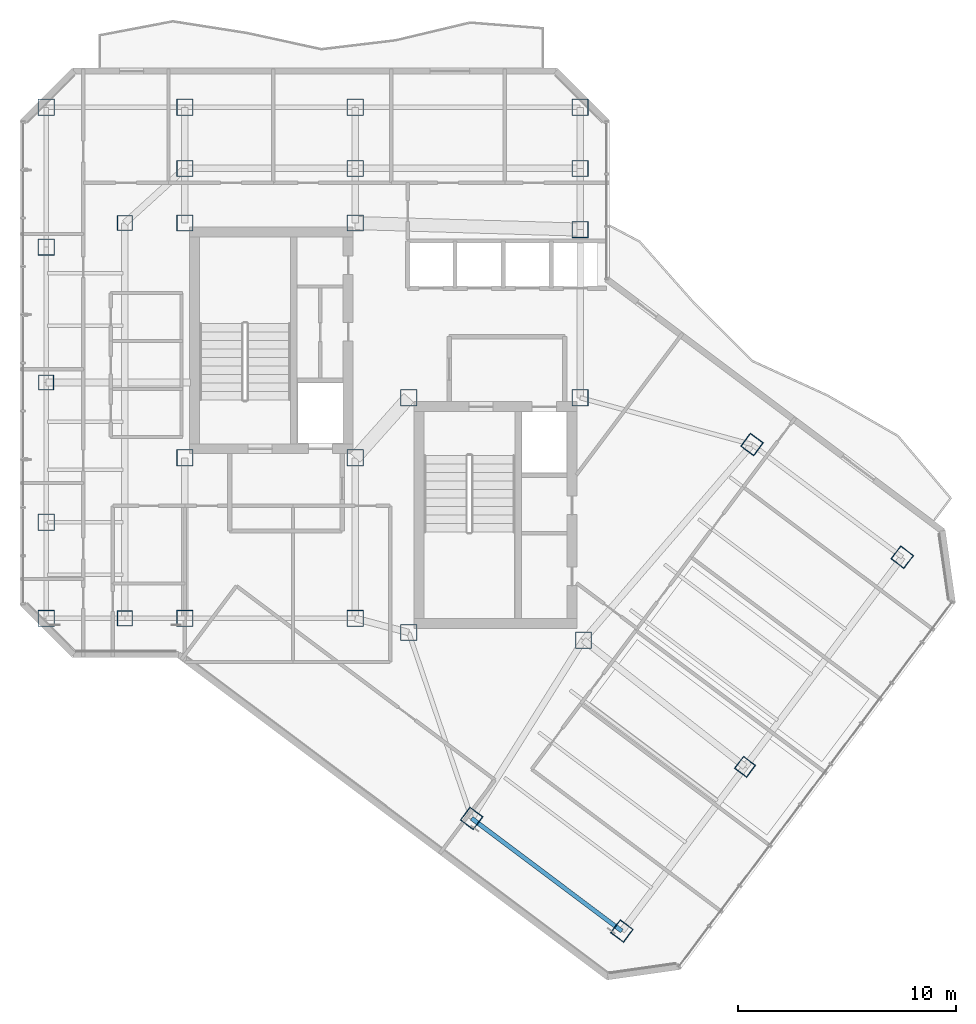
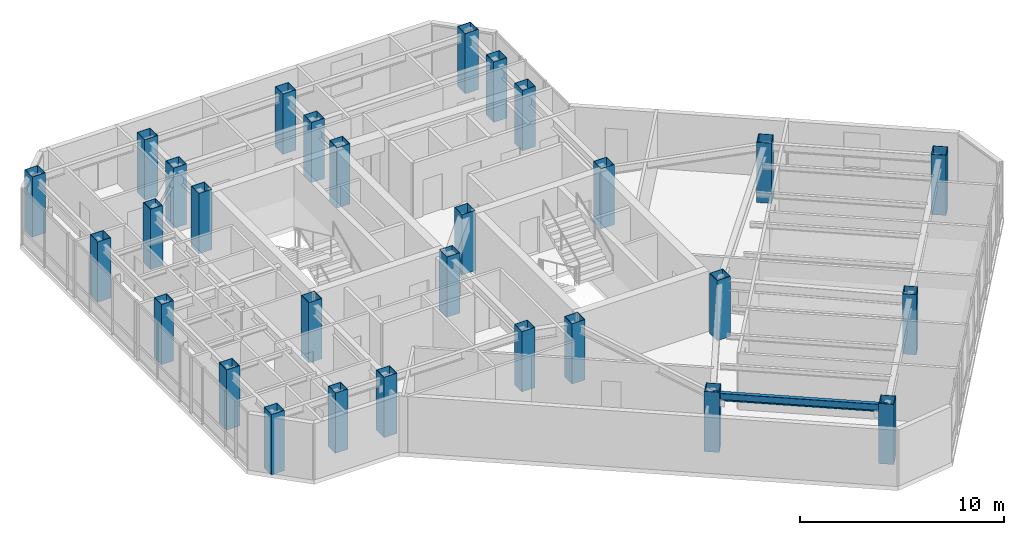
# One storey, part 1 of 26: 29 columns, 1 beam.
"""IFC4 building model written with IfcOpenShell, lengths in metres."""

from ifc_helpers import new_model, si_unit, direction, frame, origin, origin_2d, place, context, subcontext, project, spatial, hollow_rectangle, i_section, extrude, material, material_profile, profile_set, type_object, element, save


model = new_model("IFC4")

# Units and contexts
model_context = context("Model", 3, precision=1e-05, world=origin(), true_north=direction((0.0, 1.0)))
body_context = subcontext(model_context, "Body", "Model", "MODEL_VIEW")
ifc_project = project(units=[si_unit("LENGTHUNIT", "METRE"), si_unit("AREAUNIT", "SQUARE_METRE"), si_unit("VOLUMEUNIT", "CUBIC_METRE"), si_unit("PLANEANGLEUNIT", "RADIAN"), si_unit("MASSUNIT", "GRAM", prefix="KILO")], contexts=[model_context])

# Site, building, storey
site_placement = place(None, origin())
site = spatial("IfcSite", under=ifc_project, at=site_placement, CompositionType="ELEMENT")
building_placement = place(site_placement, origin())
building = spatial("IfcBuilding", under=site, at=building_placement, Name="Hatsunagi Terrace Concourse", CompositionType="ELEMENT")
storey_placement = place(building_placement, frame((0.0, 0.0, 209.550048828125)))
storey = spatial("IfcBuildingStorey", under=building, at=storey_placement, Name="L55", CompositionType="ELEMENT", Elevation=209.550048828125)

# Columns
ifc_material_1 = material(Name="Steel BCP325T", Category="steel")
ifc_material_profile_1 = material_profile(ifc_material_1, hollow_rectangle(XDim=0.699951171875, YDim=0.699951171875, WallThickness=0.028076171875, at=origin_2d()), Name="BCP-700x700x28")
ifc_profile_set_1 = profile_set([ifc_material_profile_1], Name="Steel BCP325T")
column_type_1 = type_object("IfcColumnType", Name="TowerBoxColumn_700x700x28", PredefinedType="COLUMN", material=ifc_profile_set_1)
for number, where, z_axis, x_axis, name in (
    (1, (22.800048828125, 25.199951171875, 0.0), (0.0, 0.0, 1.0), (1.0, 0.0, 0.0), "Column C-08 L55-CW1"),
    (2, (22.800048828125, 43.300048828125, 0.0), (0.0, 0.0, 1.0), (1.0, 0.0, 0.0), "Column C-08 L55-CW2"),
    (3, (19.199951171875, 36.0, 0.0), (0.0, 0.0, 1.0), (1.0, 0.0, 0.0), "Column C-08 L55-WT2"),
    (4, (51.199951171875, 18.39990234375, 0.0), (0.0, 0.0, 1.0), (0.799999996291, -0.600000004945, 0.0), "Column C-08 L55-SEM2"),
):
    element("IfcColumn", number, at=place(storey_placement, frame(where, z_axis=z_axis, x_axis=x_axis)), inside=storey, type_object=column_type_1, Name=name, PredefinedType="COLUMN", context=body_context, shape_type="SweptSolid", body=[
        extrude(hollow_rectangle(XDim=0.699951171875, YDim=0.699951171875, WallThickness=0.028076171875, at=origin_2d()), origin(), (0.0, 0.0, 1.0), 3.599853515625),
    ])
ifc_material_2 = material(Name="Steel BCP325T", Category="steel")
ifc_material_profile_2 = material_profile(ifc_material_2, hollow_rectangle(XDim=0.75, YDim=0.75, WallThickness=0.028076171875, at=origin_2d()), Name="BCP-750x750x28")
ifc_profile_set_2 = profile_set([ifc_material_profile_2], Name="Steel BCP325T")
column_type_2 = type_object("IfcColumnType", Name="TowerBoxColumn_750x750x28", PredefinedType="COLUMN", material=ifc_profile_set_2)
for number, where, z_axis, x_axis, name in (
    (5, (25.550048828125, 32.550048828125, 0.0), (0.0, 0.0, 1.0), (1.0, 0.0, 0.0), "Column C-07 L55-CASW"),
    (6, (33.35009765625, 32.550048828125, 0.0), (0.0, 0.0, 1.0), (1.0, 0.0, 0.0), "Column C-07 L55-CASE"),
    (7, (25.550048828125, 43.300048828125, 0.0), (0.0, 0.0, 1.0), (1.0, 0.0, 0.0), "Column C-07 L55-CANW"),
    (8, (33.35009765625, 43.300048828125, 0.0), (0.0, 0.0, 1.0), (1.0, 0.0, 0.0), "Column C-07 L55-CANE"),
    (9, (35.800048828125, 24.550048828125, 0.0), (0.0, 0.0, 1.0), (1.0, 0.0, 0.0), "Column C-07 L55-CBSW"),
    (10, (43.800048828125, 24.199951171875, 0.0), (0.0, 0.0, 1.0), (1.0, 0.0, 0.0), "Column C-07 L55-CBSE"),
    (11, (35.800048828125, 35.300048828125, 0.0), (0.0, 0.0, 1.0), (1.0, 0.0, 0.0), "Column C-07 L55-CBNW"),
    (12, (43.64990234375, 35.300048828125, 0.0), (0.0, 0.0, 1.0), (1.0, 0.0, 0.0), "Column C-07 L55-CBNE"),
    (13, (25.550048828125, 25.199951171875, 0.0), (0.0, 0.0, 1.0), (1.0, 0.0, 0.0), "Column C-07 L55-K1"),
    (14, (33.35009765625, 25.199951171875, 0.0), (0.0, 0.0, 1.0), (1.0, 0.0, 0.0), "Column C-07 L55-K2"),
    (15, (43.64990234375, 43.0, 0.0), (0.0, 0.0, 1.0), (1.0, 0.0, 0.0), "Column C-07 L55-K3"),
    (16, (25.550048828125, 45.800048828125, 0.0), (0.0, 0.0, 1.0), (1.0, 0.0, 0.0), "Column C-07 L55-CN1"),
    (17, (33.35009765625, 45.800048828125, 0.0), (0.0, 0.0, 1.0), (1.0, 0.0, 0.0), "Column C-07 L55-CN2"),
    (18, (43.64990234375, 45.800048828125, 0.0), (0.0, 0.0, 1.0), (1.0, 0.0, 0.0), "Column C-07 L55-CN3"),
    (19, (19.199951171875, 48.60009765625, 0.0), (0.0, 0.0, 1.0), (1.0, 0.0, 0.0), "Column C-07 L55-WN3"),
    (20, (25.550048828125, 48.60009765625, 0.0), (0.0, 0.0, 1.0), (1.0, 0.0, 0.0), "Column C-07 L55-WN4"),
    (21, (33.35009765625, 48.60009765625, 0.0), (0.0, 0.0, 1.0), (1.0, 0.0, 0.0), "Column C-07 L55-WN5"),
    (22, (43.64990234375, 48.60009765625, 0.0), (0.0, 0.0, 1.0), (1.0, 0.0, 0.0), "Column C-07 L55-WN6"),
    (23, (19.199951171875, 25.199951171875, 0.0), (0.0, 0.0, 1.0), (1.0, 0.0, 0.0), "Column C-07 L55-WS3"),
    (24, (19.199951171875, 29.60009765625, 0.0), (0.0, 0.0, 1.0), (1.0, 0.0, 0.0), "Column C-07 L55-WR1"),
    (25, (19.199951171875, 42.199951171875, 0.0), (0.0, 0.0, 1.0), (1.0, 0.0, 0.0), "Column C-07 L55-WR2"),
    (26, (38.679931640625, 16.0400390625, 0.0), (0.0, 0.0, 1.0), (0.799999996291, -0.600000004945, 0.0), "Column C-07 L55-SES1"),
    (27, (51.52001953125, 33.159912109375, 0.0), (0.0, 0.0, 1.0), (0.799999996291, -0.600000004945, 0.0), "Column C-07 L55-SEN1"),
    (28, (45.56005859375, 10.8798828125, 0.0), (0.0, 0.0, 1.0), (0.799999996291, -0.600000004945, 0.0), "Column C-07 L55-SES2"),
    (29, (58.39990234375, 28.0, 0.0), (0.0, 0.0, 1.0), (0.799999996291, -0.600000004945, 0.0), "Column C-07 L55-SEN2"),
):
    element("IfcColumn", number, at=place(storey_placement, frame(where, z_axis=z_axis, x_axis=x_axis)), inside=storey, type_object=column_type_2, Name=name, PredefinedType="COLUMN", context=body_context, shape_type="SweptSolid", body=[
        extrude(hollow_rectangle(XDim=0.75, YDim=0.75, WallThickness=0.028076171875, at=origin_2d()), origin(), (0.0, 0.0, 1.0), 3.599853515625),
    ])

# Beam
ifc_material_3 = material(Name="Steel SN490B", Category="steel")
ifc_material_profile_3 = material_profile(ifc_material_3, i_section(OverallWidth=0.199951171875, OverallDepth=0.449951171875, WebThickness=0.009033203125, FlangeThickness=0.013916015625, FilletRadius=0.01611328125, at=origin_2d()), Name="H-450x200x9x14")
ifc_profile_set_3 = profile_set([ifc_material_profile_3], Name="Steel SN490B")
beam_type = type_object("IfcBeamType", Name="PerimeterSpandrel_H_450x200", PredefinedType="SPANDREL", material=ifc_profile_set_3)
beam_placement = place(storey_placement, frame((38.679931640625, 16.0400390625, 3.125), z_axis=(0.799996593451, -0.600004542038, 0.0), x_axis=(0.600004542038, 0.799996593451, 0.0)))
element("IfcBeam", 30, at=beam_placement, inside=storey, type_object=beam_type, Name="Beam SP-02 BM-L55-SE-SW2", PredefinedType="SPANDREL", context=body_context, shape_type="SweptSolid", body=[
    extrude(i_section(OverallWidth=0.199951171875, OverallDepth=0.449951171875, WebThickness=0.009033203125, FlangeThickness=0.013916015625, FilletRadius=0.01611328125, at=origin_2d()), origin(), (0.0, 0.0, 1.0), 8.60009765625),
])

save(model, "model.ifc")
